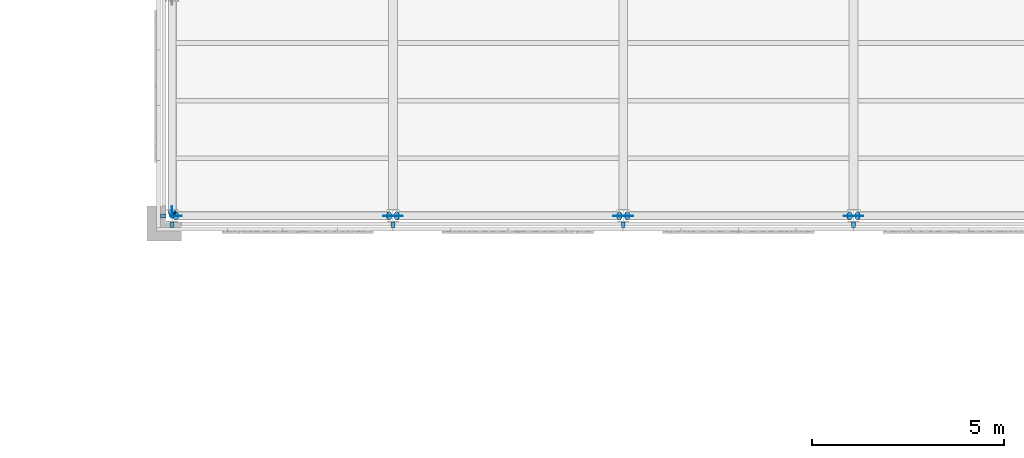
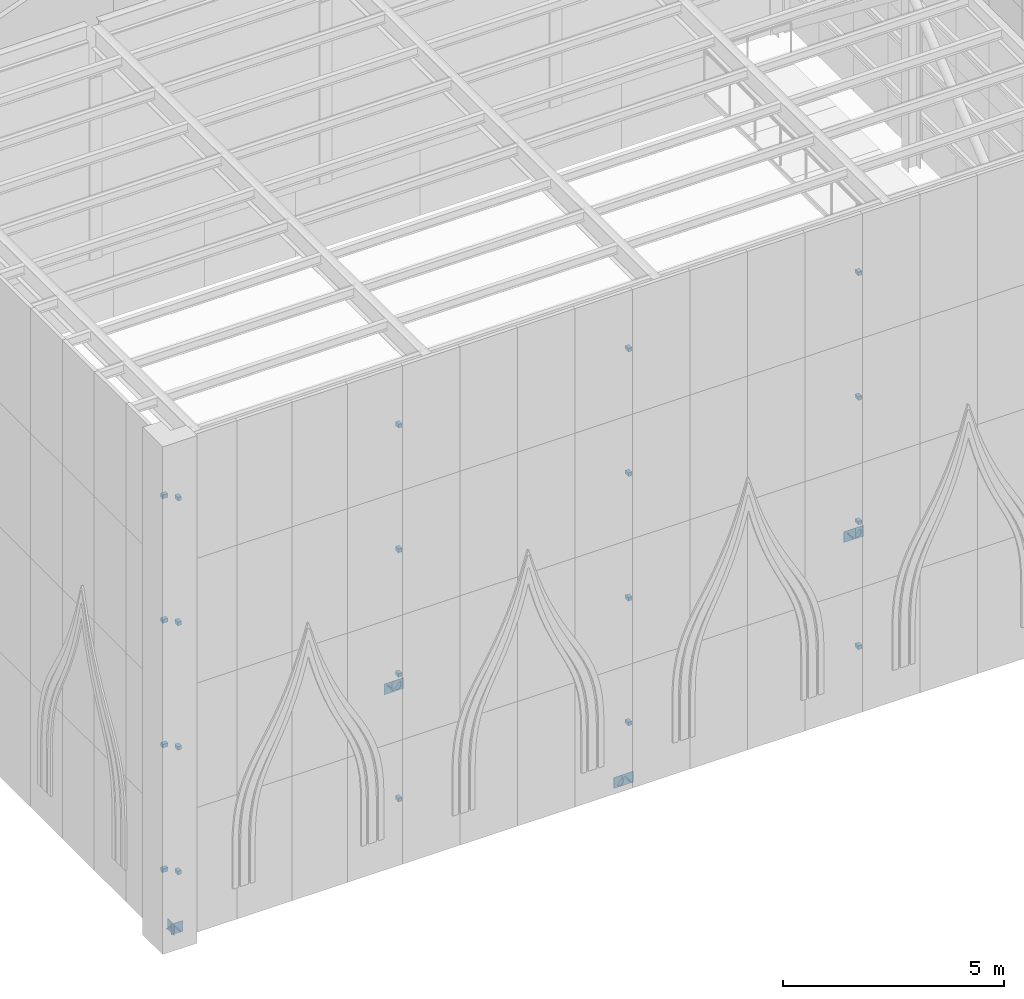
# One storey, part 16 of 43: 36 discrete accessories.
"""IFC4 building model written with IfcOpenShell, lengths in metres."""

from ifc_helpers import new_model, si_unit, direction, frame, origin, origin_2d, place, context, subcontext, project, spatial, rectangle, circle, extrude, material, material_profile, profile_set, type_object, element, save


model = new_model("IFC4")

# Units and contexts
model_context = context("Model", 3, precision=1e-05, world=origin(), true_north=direction((0.0, 1.0)))
body_context = subcontext(model_context, "Body", "Model", "MODEL_VIEW")
ifc_project = project(units=[si_unit("LENGTHUNIT", "METRE"), si_unit("AREAUNIT", "SQUARE_METRE"), si_unit("VOLUMEUNIT", "CUBIC_METRE"), si_unit("PLANEANGLEUNIT", "RADIAN"), si_unit("MASSUNIT", "GRAM", prefix="KILO")], contexts=[model_context])

# Site, building, storey
site_placement = place(None, origin())
site = spatial("IfcSite", under=ifc_project, at=site_placement, CompositionType="ELEMENT")
building_placement = place(site_placement, origin())
building = spatial("IfcBuilding", under=site, at=building_placement, Name="Saffron Lane Theatres", CompositionType="ELEMENT")
storey_placement = place(building_placement, frame((0.0, 0.0, 23.0)))
storey = spatial("IfcBuildingStorey", under=building, at=storey_placement, Name="Roof", CompositionType="ELEMENT", Elevation=23.0)

# Discrete accessories
ifc_material_1 = material(Name="Steel Grade 350", Category="steel")
ifc_material_profile_1 = material_profile(ifc_material_1, rectangle(XDim=0.300048828125, YDim=0.300048828125, at=origin_2d()))
ifc_profile_set_1 = profile_set([ifc_material_profile_1], Name="Steel Grade 350")
discrete_accessory_type_1 = type_object("IfcDiscreteAccessoryType", Name="ST-GUSSET CONNECTION PLATE", PredefinedType="BRACKET", material=ifc_profile_set_1)
for number, where, z_axis, x_axis, name in (
    (1, (18.349365234375, 30.2451171875, 0.083740234375), (0.0, 1.0, 0.0), (-1.0, 0.0, 0.0), "GB97"),
    (2, (23.900634765625, 30.2451171875, 4.766357421875), (0.0, 1.0, 0.0), (-1.0, 0.0, 0.0), "GB98"),
    (3, (29.89453125, 30.2451171875, 0.085205078125), (0.0, 1.0, 0.0), (-1.0, 0.0, 0.0), "GB101"),
    (4, (24.10546875, 30.2451171875, 4.764892578125), (0.0, 1.0, 0.0), (-1.0, 0.0, 0.0), "GB102"),
    (5, (30.10546875, 30.2451171875, 0.085205078125), (0.0, 1.0, 0.0), (-1.0, 0.0, 0.0), "GB105"),
    (6, (35.89453125, 30.2451171875, 4.764892578125), (0.0, 1.0, 0.0), (-1.0, 0.0, 0.0), "GB106"),
    (7, (36.10546875, 30.2451171875, 4.764892578125), (0.0, 1.0, 0.0), (-1.0, 0.0, 0.0), "GB110"),
    (8, (18.2451171875, 30.349365234375, 0.083740234375), (1.0, 0.0, 0.0), (0.0, 1.0, 0.0), "GB137"),
):
    element("IfcDiscreteAccessory", number, at=place(storey_placement, frame(where, z_axis=z_axis, x_axis=x_axis)), inside=storey, type_object=discrete_accessory_type_1, Name=name, PredefinedType="BRACKET", context=body_context, shape_type="SweptSolid", body=[
        extrude(rectangle(XDim=0.300048828125, YDim=0.300048828125, at=origin_2d()), origin(), (0.0, 0.0, 1.0), 0.009765625),
    ])
ifc_material_2 = material(Name="Steel Grade 350", Category="steel")
ifc_material_profile_2 = material_profile(ifc_material_2, circle(Radius=0.109619140625, at=origin_2d()))
ifc_profile_set_2 = profile_set([ifc_material_profile_2], Name="Steel Grade 350")
discrete_accessory_type_2 = type_object("IfcDiscreteAccessoryType", Name="ST-STEEL END CAP 219.1x8.2 CHS", PredefinedType="ANCHORPLATE", material=ifc_profile_set_2)
discrete_accessory_1_placement = place(storey_placement, frame((18.340087890625, 30.25, 0.075927734375), z_axis=(0.764911198117, 0.0, 0.644135745783), x_axis=(0.0, 1.0, 0.0)))
element("IfcDiscreteAccessory", 9, at=discrete_accessory_1_placement, inside=storey, type_object=discrete_accessory_type_2, Name="EC43", PredefinedType="ANCHORPLATE", context=body_context, shape_type="SweptSolid", body=[
    extrude(circle(Radius=0.109619140625, at=origin_2d()), origin(), (0.0, 0.0, 1.0), 0.01220703125),
])
discrete_accessory_2_placement = place(storey_placement, frame((23.900634765625, 30.25, 4.766357421875), z_axis=(0.774865020772, 0.0, 0.632126727472), x_axis=(0.0, 1.0, 0.0)))
element("IfcDiscreteAccessory", 10, at=discrete_accessory_2_placement, inside=storey, type_object=discrete_accessory_type_2, Name="EC44", PredefinedType="ANCHORPLATE", context=body_context, shape_type="SweptSolid", body=[
    extrude(circle(Radius=0.109619140625, at=origin_2d()), origin(), (0.0, 0.0, 1.0), 0.011962890625),
])
for number, where, z_axis, x_axis, name in (
    (11, (29.904052734375, 30.25, 0.07763671875), (-0.782823254756, 0.0, 0.622244125575), (0.0, -1.0, 0.0), "EC47"),
    (12, (24.10546875, 30.25, 4.764892578125), (-0.782823254756, 0.0, 0.622244125575), (0.0, -1.0, 0.0), "EC48"),
    (13, (30.095947265625, 30.25, 0.07763671875), (0.782823254756, 0.0, 0.622244125575), (0.0, 1.0, 0.0), "EC51"),
    (14, (35.89453125, 30.25, 4.764892578125), (0.782823254756, 0.0, 0.622244125575), (0.0, 1.0, 0.0), "EC52"),
    (15, (36.10546875, 30.25, 4.764892578125), (-0.782823254756, 0.0, 0.622244125575), (0.0, -1.0, 0.0), "EC56"),
    (16, (18.25, 30.340087890625, 0.075927734375), (0.0, 0.764911198117, 0.644135745783), (-1.0, 0.0, 0.0), "EC83"),
):
    element("IfcDiscreteAccessory", number, at=place(storey_placement, frame(where, z_axis=z_axis, x_axis=x_axis)), inside=storey, type_object=discrete_accessory_type_2, Name=name, PredefinedType="ANCHORPLATE", context=body_context, shape_type="SweptSolid", body=[
        extrude(circle(Radius=0.109619140625, at=origin_2d()), origin(), (0.0, 0.0, 1.0), 0.01220703125),
    ])
for number, where, z_axis, x_axis, name in (
    (17, (18.25, 30.018310546875, 1.768798828125), (0.0, 0.0, 1.0), (1.0, 0.0, 0.0), "Tower panel bracket 1"),
    (18, (18.25, 30.018310546875, 5.206298828125), (0.0, 0.0, 1.0), (1.0, 0.0, 0.0), "Tower panel bracket 2"),
    (19, (18.25, 30.018310546875, 8.643798828125), (0.0, 0.0, 1.0), (1.0, 0.0, 0.0), "Tower panel bracket 3"),
    (20, (18.25, 30.018310546875, 12.081298828125), (0.0, 0.0, 1.0), (1.0, 0.0, 0.0), "Tower panel bracket 4"),
    (21, (24.0, 30.018310546875, 1.768798828125), (0.0, 0.0, 1.0), (1.0, 0.0, 0.0), "Tower panel bracket 5"),
    (22, (24.0, 30.018310546875, 5.206298828125), (0.0, 0.0, 1.0), (1.0, 0.0, 0.0), "Tower panel bracket 6"),
    (23, (24.0, 30.018310546875, 8.643798828125), (0.0, 0.0, 1.0), (1.0, 0.0, 0.0), "Tower panel bracket 7"),
    (24, (24.0, 30.018310546875, 12.081298828125), (0.0, 0.0, 1.0), (1.0, 0.0, 0.0), "Tower panel bracket 8"),
    (25, (30.0, 30.018310546875, 1.768798828125), (0.0, 0.0, 1.0), (1.0, 0.0, 0.0), "Tower panel bracket 9"),
    (26, (30.0, 30.018310546875, 5.206298828125), (0.0, 0.0, 1.0), (1.0, 0.0, 0.0), "Tower panel bracket 10"),
    (27, (30.0, 30.018310546875, 8.643798828125), (0.0, 0.0, 1.0), (1.0, 0.0, 0.0), "Tower panel bracket 11"),
    (28, (30.0, 30.018310546875, 12.081298828125), (0.0, 0.0, 1.0), (1.0, 0.0, 0.0), "Tower panel bracket 12"),
    (29, (36.0, 30.018310546875, 1.768798828125), (0.0, 0.0, 1.0), (1.0, 0.0, 0.0), "Tower panel bracket 13"),
    (30, (36.0, 30.018310546875, 5.206298828125), (0.0, 0.0, 1.0), (1.0, 0.0, 0.0), "Tower panel bracket 14"),
    (31, (36.0, 30.018310546875, 8.643798828125), (0.0, 0.0, 1.0), (1.0, 0.0, 0.0), "Tower panel bracket 15"),
    (32, (36.0, 30.018310546875, 12.081298828125), (0.0, 0.0, 1.0), (1.0, 0.0, 0.0), "Tower panel bracket 16"),
    (33, (18.018310546875, 30.25, 1.768798828125), (0.0, 0.0, 1.0), (0.0, 1.0, 0.0), "Tower panel bracket 49"),
    (34, (18.018310546875, 30.25, 5.206298828125), (0.0, 0.0, 1.0), (0.0, 1.0, 0.0), "Tower panel bracket 50"),
    (35, (18.018310546875, 30.25, 8.643798828125), (0.0, 0.0, 1.0), (0.0, 1.0, 0.0), "Tower panel bracket 51"),
    (36, (18.018310546875, 30.25, 12.081298828125), (0.0, 0.0, 1.0), (0.0, 1.0, 0.0), "Tower panel bracket 52"),
):
    element("IfcDiscreteAccessory", number, at=place(storey_placement, frame(where, z_axis=z_axis, x_axis=x_axis)), inside=storey, Name=name, PredefinedType="BRACKET", context=body_context, shape_type="SweptSolid", body=[
        extrude(rectangle(XDim=0.10009765625, YDim=0.136474609375, at=origin_2d()), origin(), (0.0, 0.0, 1.0), 0.10009765625),
    ])

save(model, "model.ifc")
